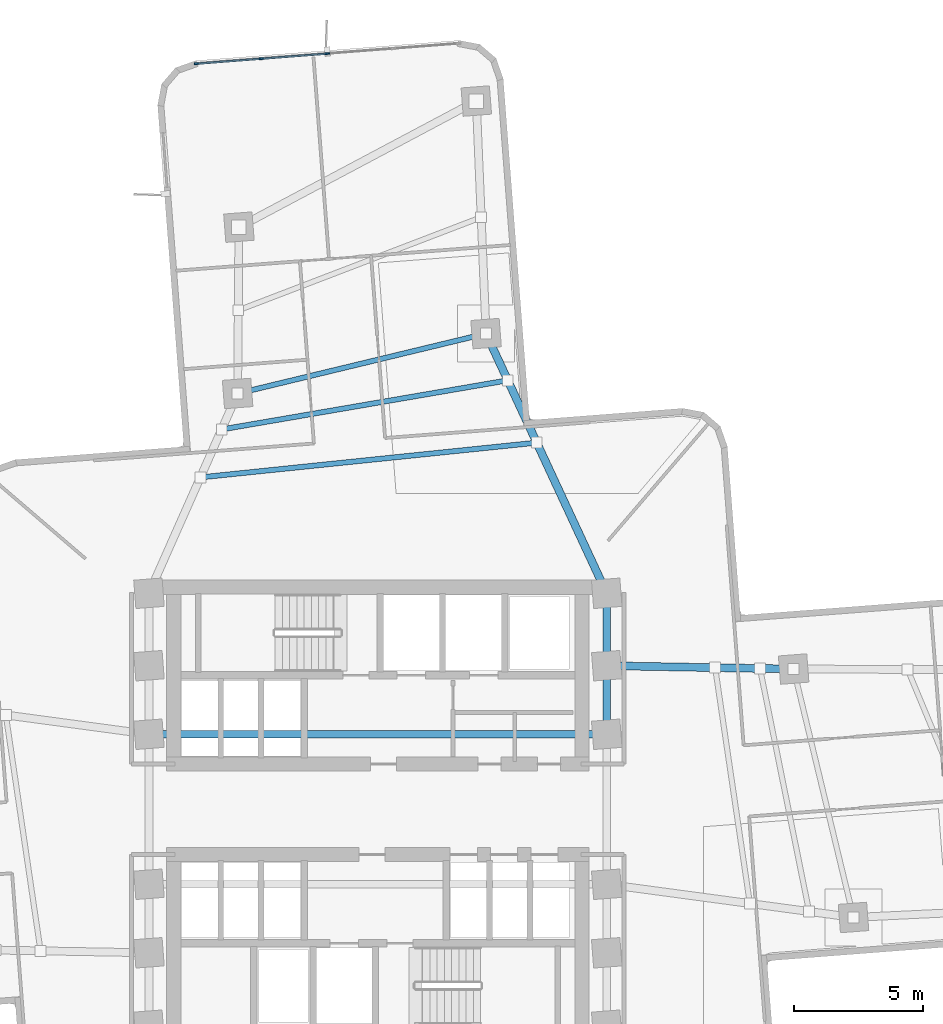
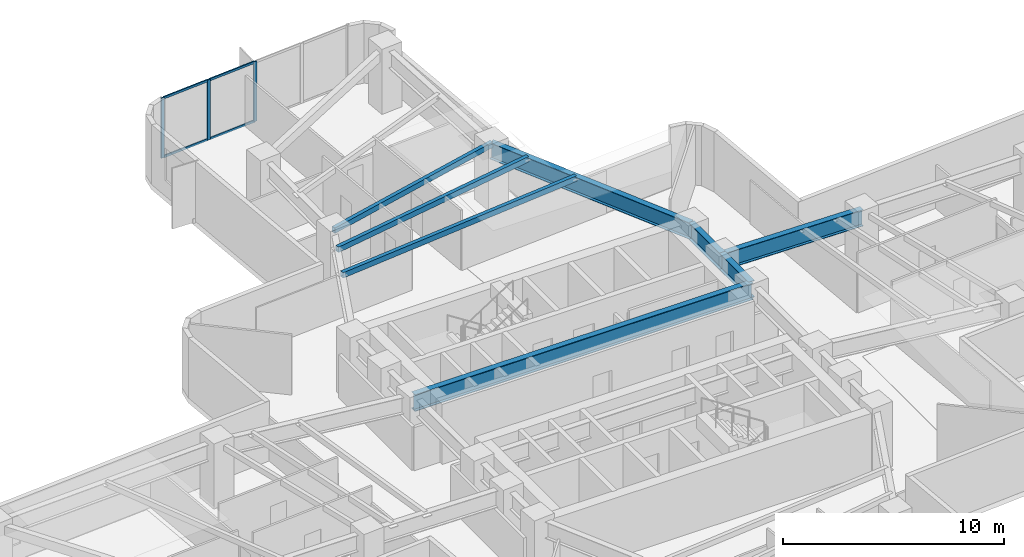
# One storey, part 5 of 15: 8 beams, 7 members, 1 element without a shape of its own.
"""IFC4 building model written with IfcOpenShell, lengths in metres."""

from ifc_helpers import new_model, si_unit, direction, frame, origin, origin_2d, place, context, subcontext, project, spatial, rectangle, hollow_rectangle, i_section, extrude, material, layer, layer_set, material_profile, profile_set, type_object, element, aggregate, save


model = new_model("IFC4")

# Units and contexts
model_context = context("Model", 3, precision=1e-05, world=origin(), true_north=direction((0.0, 1.0)))
body_context = subcontext(model_context, "Body", "Model", "MODEL_VIEW")
ifc_project = project(units=[si_unit("LENGTHUNIT", "METRE"), si_unit("AREAUNIT", "SQUARE_METRE"), si_unit("VOLUMEUNIT", "CUBIC_METRE"), si_unit("PLANEANGLEUNIT", "RADIAN"), si_unit("MASSUNIT", "GRAM", prefix="KILO")], contexts=[model_context])

# Site, building, storey
site_placement = place(None, origin())
site = spatial("IfcSite", under=ifc_project, at=site_placement, CompositionType="ELEMENT")
building_placement = place(site_placement, origin())
building = spatial("IfcBuilding", under=site, at=building_placement, Name="Solmarez Civic Tower", CompositionType="ELEMENT")
storey_placement = place(building_placement, frame((0.0, 0.0, 60.47998046875)))
storey = spatial("IfcBuildingStorey", under=building, at=storey_placement, Name="L15", CompositionType="ELEMENT", Elevation=60.47998046875)

# Beams
ifc_material_1 = material(Name="Steel S355", Category="steel")
ifc_material_profile_1 = material_profile(ifc_material_1, hollow_rectangle(XDim=0.199951171875, YDim=0.300048828125, WallThickness=0.011962890625, at=origin_2d()), Name="HSS300X200X12")
ifc_profile_set_1 = profile_set([ifc_material_profile_1], Name="Steel S355")
beam_type_1 = type_object("IfcBeamType", Name="BM-JS-HSS300X200", PredefinedType="JOIST", material=ifc_profile_set_1)
beam_1_placement = place(storey_placement, frame((4.18408203125, 18.39111328125, 3.169921875), z_axis=(-0.97215737271, -0.234328919867, 0.0), x_axis=(0.234328919867, -0.97215737271, 0.0)))
element("IfcBeam", 1, at=beam_1_placement, inside=storey, type_object=beam_type_1, Name="L15 Secondary Floor Joist BM-L15-NA-T1", PredefinedType="JOIST", context=body_context, shape_type="SweptSolid", body=[
    extrude(hollow_rectangle(XDim=0.199951171875, YDim=0.300048828125, WallThickness=0.011962890625, at=origin_2d()), origin(), (0.0, 0.0, 1.0), 9.880126953125),
])
beam_2_placement = place(storey_placement, frame((6.14404296875, 14.174072265625, 3.169921875), z_axis=(-0.9947100999, -0.102722038325, 0.0), x_axis=(0.102722038325, -0.9947100999, 0.0)))
element("IfcBeam", 2, at=beam_2_placement, inside=storey, type_object=beam_type_1, Name="L15 Secondary Floor Joist JS-L15-NA-M11", PredefinedType="JOIST", context=body_context, shape_type="SweptSolid", body=[
    extrude(hollow_rectangle(XDim=0.199951171875, YDim=0.300048828125, WallThickness=0.011962890625, at=origin_2d()), origin(), (0.0, 0.0, 1.0), 13.07421875),
])
beam_3_placement = place(storey_placement, frame((5.02392578125, 16.583984375, 3.169921875), z_axis=(-0.985583934907, -0.169187195889, 0.0), x_axis=(0.169187195889, -0.985583934907, 0.0)))
element("IfcBeam", 3, at=beam_3_placement, inside=storey, type_object=beam_type_1, Name="L15 Secondary Floor Joist JS-L15-NA-M12", PredefinedType="JOIST", context=body_context, shape_type="SweptSolid", body=[
    extrude(hollow_rectangle(XDim=0.199951171875, YDim=0.300048828125, WallThickness=0.011962890625, at=origin_2d()), origin(), (0.0, 0.0, 1.0), 11.223876953125),
])
ifc_material_profile_2 = material_profile(ifc_material_1, i_section(OverallWidth=0.303955078125, OverallDepth=0.910888671875, WebThickness=0.015869140625, FlangeThickness=0.02392578125, at=origin_2d()), Name="W36X150")
ifc_profile_set_2 = profile_set([ifc_material_profile_2], Name="Steel S355")
beam_type_2 = type_object("IfcBeamType", Name="BM-PR-W36X150", PredefinedType="BEAM", material=ifc_profile_set_2)
beam_4_placement = place(storey_placement, frame((8.85009765625, 5.550048828125, 2.864013671875), z_axis=(0.999840308455, -0.017870578882, 0.0), x_axis=(0.017870578882, 0.999840308455, 0.0)))
element("IfcBeam", 4, at=beam_4_placement, inside=storey, type_object=beam_type_2, Name="L15 Primary Floor Beam BM-L15-EA-R1B", PredefinedType="BEAM", context=body_context, shape_type="SweptSolid", body=[
    extrude(i_section(OverallWidth=0.303955078125, OverallDepth=0.910888671875, WebThickness=0.015869140625, FlangeThickness=0.02392578125, at=origin_2d()), origin(), (0.0, 0.0, 1.0), 7.22705078125),
])
beam_5_placement = place(storey_placement, frame((8.85009765625, 8.35009765625, 2.864013671875), z_axis=(-0.421417065364, 0.906866945599, 0.0), x_axis=(-0.906866945599, -0.421417065364, 0.0)))
element("IfcBeam", 5, at=beam_5_placement, inside=storey, type_object=beam_type_2, Name="L15 Primary Floor Beam BM-L15-NA-R1A", PredefinedType="BEAM", context=body_context, shape_type="SweptSolid", body=[
    extrude(i_section(OverallWidth=0.303955078125, OverallDepth=0.910888671875, WebThickness=0.015869140625, FlangeThickness=0.02392578125, at=origin_2d()), origin(), (0.0, 0.0, 1.0), 11.072265625),
])
ifc_material_profile_3 = material_profile(ifc_material_1, i_section(OverallWidth=0.306884765625, OverallDepth=0.927001953125, WebThickness=0.019287109375, FlangeThickness=0.031982421875, at=origin_2d()), Name="W36X194")
ifc_profile_set_3 = profile_set([ifc_material_profile_3], Name="Steel S355")
beam_type_3 = type_object("IfcBeamType", Name="BM-PR-W36X194", PredefinedType="BEAM", material=ifc_profile_set_3)
beam_6_placement = place(storey_placement, frame((8.85009765625, 2.89990234375, 2.85595703125), z_axis=(0.0, 1.0, 0.0), x_axis=(-1.0, 0.0, 0.0)))
element("IfcBeam", 6, at=beam_6_placement, inside=storey, type_object=beam_type_3, Name="L15 Primary Floor Beam BM-L15-HC7-HC8", PredefinedType="BEAM", context=body_context, shape_type="SweptSolid", body=[
    extrude(i_section(OverallWidth=0.306884765625, OverallDepth=0.927001953125, WebThickness=0.019287109375, FlangeThickness=0.031982421875, at=origin_2d()), origin(), (0.0, 0.0, 1.0), 2.650146484375),
])
beam_7_placement = place(storey_placement, frame((8.85009765625, 5.550048828125, 2.85595703125), z_axis=(0.0, 1.0, 0.0), x_axis=(-1.0, 0.0, 0.0)))
element("IfcBeam", 7, at=beam_7_placement, inside=storey, type_object=beam_type_3, Name="L15 Primary Floor Beam BM-L15-HC8-HC11", PredefinedType="BEAM", context=body_context, shape_type="SweptSolid", body=[
    extrude(i_section(OverallWidth=0.306884765625, OverallDepth=0.927001953125, WebThickness=0.019287109375, FlangeThickness=0.031982421875, at=origin_2d()), origin(), (0.0, 0.0, 1.0), 2.800048828125),
])
beam_8_placement = place(storey_placement, frame((-8.85009765625, 2.89990234375, 2.85595703125), z_axis=(1.0, 0.0, 0.0), x_axis=(0.0, 1.0, 0.0)))
element("IfcBeam", 8, at=beam_8_placement, inside=storey, type_object=beam_type_3, Name="L15 Primary Floor Beam BM-L15-HC3-HC7", PredefinedType="BEAM", context=body_context, shape_type="SweptSolid", body=[
    extrude(i_section(OverallWidth=0.306884765625, OverallDepth=0.927001953125, WebThickness=0.019287109375, FlangeThickness=0.031982421875, at=origin_2d()), origin(), (0.0, 0.0, 1.0), 17.7001953125),
])

# Curtain wall, members
ifc_material_2 = material(Name="Bronze Anodised Aluminium EN AW-6063 T6", Category="aluminium")
ifc_layer = layer(ifc_material_2, 0.18505859375)
ifc_layer_set = layer_set([ifc_layer], Name="Bronze Anodised Aluminium EN AW-6063 T6")
curtain_wall_type = type_object("IfcCurtainWallType", Name="CW-SYS-2", PredefinedType="NOTDEFINED", material=ifc_layer_set)
curtain_wall_placement = place(storey_placement, origin())
curtain_wall = element("IfcCurtainWall", 9, at=curtain_wall_placement, inside=storey, type_object=curtain_wall_type, Name="L15 Stick-Built Curtain Wall 2", PredefinedType="NOTDEFINED")
ifc_material_profile_4 = material_profile(ifc_material_2, rectangle(XDim=0.070068359375, YDim=0.179931640625, at=origin_2d()), Name="CWM-70X180")
ifc_profile_set_4 = profile_set([ifc_material_profile_4], Name="Bronze Anodised Aluminium EN AW-6063 T6")
member_type_1 = type_object("IfcMemberType", Name="CWM-TYPE-2", PredefinedType="MULLION", material=ifc_profile_set_4)
member_1_placement = place(storey_placement, frame((-7.006103515625, 28.82763671875, 0.0), z_axis=(0.0, 0.0, 1.0), x_axis=(-0.076726434127, 0.997052182339, 0.0)))
member_1 = element("IfcMember", 10, at=member_1_placement, type_object=member_type_1, Name="CWS2 mullion 1", PredefinedType="MULLION", context=body_context, shape_type="SweptSolid", body=[
    extrude(rectangle(XDim=0.070068359375, YDim=0.179931640625, at=origin_2d()), origin(), (0.0, 0.0, 1.0), 3.320068359375),
])
member_2_placement = place(storey_placement, frame((-4.493896484375, 29.02099609375, 0.0), z_axis=(0.0, 0.0, 1.0), x_axis=(-0.076726434127, 0.997052182339, 0.0)))
member_2 = element("IfcMember", 11, at=member_2_placement, type_object=member_type_1, Name="CWS2 mullion 2", PredefinedType="MULLION", context=body_context, shape_type="SweptSolid", body=[
    extrude(rectangle(XDim=0.070068359375, YDim=0.179931640625, at=origin_2d()), origin(), (0.0, 0.0, 1.0), 3.320068359375),
])
member_3_placement = place(storey_placement, frame((-1.947021484375, 29.217041015625, 0.0), z_axis=(0.0, 0.0, 1.0), x_axis=(-0.076726434127, 0.997052182339, 0.0)))
member_3 = element("IfcMember", 12, at=member_3_placement, type_object=member_type_1, Name="CWS2 mullion 3", PredefinedType="MULLION", context=body_context, shape_type="SweptSolid", body=[
    extrude(rectangle(XDim=0.070068359375, YDim=0.179931640625, at=origin_2d()), origin(), (0.0, 0.0, 1.0), 3.320068359375),
])
ifc_material_profile_5 = material_profile(ifc_material_2, rectangle(XDim=0.06494140625, YDim=0.125, at=origin_2d()), Name="CWT-65X125")
ifc_profile_set_5 = profile_set([ifc_material_profile_5], Name="Bronze Anodised Aluminium EN AW-6063 T6")
member_type_2 = type_object("IfcMemberType", Name="CWT-TYPE-2", PredefinedType="USERDEFINED", material=ifc_profile_set_5)
member_4_placement = place(storey_placement, frame((-6.97119140625, 28.830322265625, 0.032470703125), z_axis=(0.997050966857, 0.076742227557, 0.0), x_axis=(-0.076742227557, 0.997050966857, 0.0)))
member_4 = element("IfcMember", 13, at=member_4_placement, type_object=member_type_2, Name="CWS2 transom 1.1", ObjectType="TRANSOM", PredefinedType="USERDEFINED", context=body_context, shape_type="SweptSolid", body=[
    extrude(rectangle(XDim=0.06494140625, YDim=0.125, at=origin_2d()), origin(), (0.0, 0.0, 1.0), 2.44970703125),
])
member_5_placement = place(storey_placement, frame((-6.97119140625, 28.830322265625, 3.28759765625), z_axis=(0.997050966857, 0.076742227557, 0.0), x_axis=(-0.076742227557, 0.997050966857, 0.0)))
member_5 = element("IfcMember", 14, at=member_5_placement, type_object=member_type_2, Name="CWS2 transom 1.2", ObjectType="TRANSOM", PredefinedType="USERDEFINED", context=body_context, shape_type="SweptSolid", body=[
    extrude(rectangle(XDim=0.06494140625, YDim=0.125, at=origin_2d()), origin(), (0.0, 0.0, 1.0), 2.44970703125),
])
member_6_placement = place(storey_placement, frame((-4.458984375, 29.023681640625, 0.032470703125), z_axis=(0.99705043769, 0.07674910229, 0.0), x_axis=(-0.07674910229, 0.99705043769, 0.0)))
member_6 = element("IfcMember", 15, at=member_6_placement, type_object=member_type_2, Name="CWS2 transom 2.1", ObjectType="TRANSOM", PredefinedType="USERDEFINED", context=body_context, shape_type="SweptSolid", body=[
    extrude(rectangle(XDim=0.06494140625, YDim=0.125, at=origin_2d()), origin(), (0.0, 0.0, 1.0), 2.484375),
])
member_7_placement = place(storey_placement, frame((-4.458984375, 29.023681640625, 3.28759765625), z_axis=(0.99705043769, 0.07674910229, 0.0), x_axis=(-0.07674910229, 0.99705043769, 0.0)))
member_7 = element("IfcMember", 16, at=member_7_placement, type_object=member_type_2, Name="CWS2 transom 2.2", ObjectType="TRANSOM", PredefinedType="USERDEFINED", context=body_context, shape_type="SweptSolid", body=[
    extrude(rectangle(XDim=0.06494140625, YDim=0.125, at=origin_2d()), origin(), (0.0, 0.0, 1.0), 2.484375),
])
aggregate(curtain_wall, [member_1, member_2, member_3, member_4, member_5, member_6, member_7])

save(model, "model.ifc")
